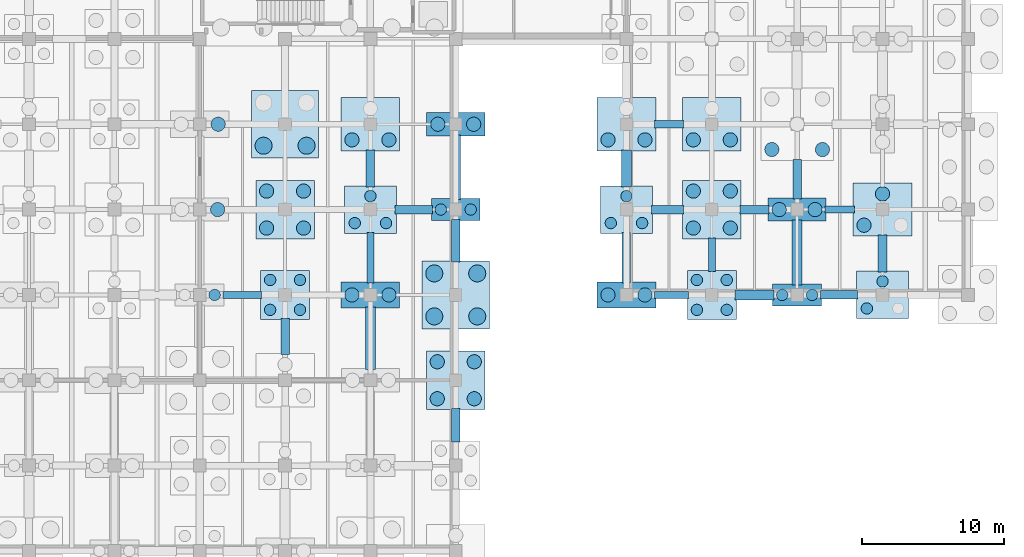
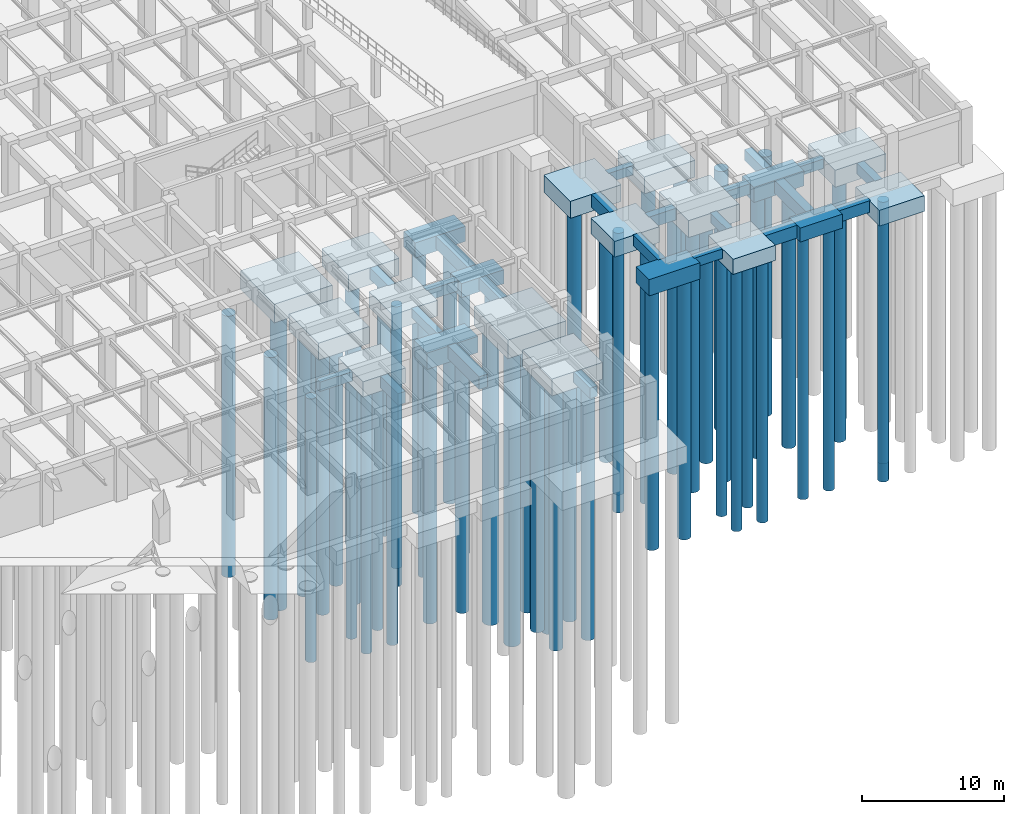
# One storey, part 17 of 54: 59 piles, 42 footings.
"""IFC4 building model written with IfcOpenShell, lengths in metres."""

from ifc_helpers import new_model, si_unit, direction, frame, origin, origin_2d, place, context, subcontext, project, spatial, rectangle, circle, extrude, material, material_profile, profile_set, type_object, element, save


model = new_model("IFC4")

# Units and contexts
model_context = context("Model", 3, precision=1e-05, world=origin(), true_north=direction((0.0, 1.0)))
body_context = subcontext(model_context, "Body", "Model", "MODEL_VIEW")
ifc_project = project(units=[si_unit("LENGTHUNIT", "METRE"), si_unit("AREAUNIT", "SQUARE_METRE"), si_unit("VOLUMEUNIT", "CUBIC_METRE"), si_unit("PLANEANGLEUNIT", "RADIAN"), si_unit("MASSUNIT", "GRAM", prefix="KILO"), si_unit("THERMODYNAMICTEMPERATUREUNIT", "KELVIN"), si_unit("POWERUNIT", "WATT")], contexts=[model_context])

# Site, building, storey
site_placement = place(None, origin())
site = spatial("IfcSite", under=ifc_project, at=site_placement, CompositionType="ELEMENT")
building_placement = place(site_placement, origin())
building = spatial("IfcBuilding", under=site, at=building_placement, Name="Phaisarnlok Congress Hotel", CompositionType="ELEMENT")
storey_placement = place(building_placement, frame((0.0, 0.0, -4.800048828125)))
storey = spatial("IfcBuildingStorey", under=building, at=storey_placement, Name="B01", CompositionType="ELEMENT", Elevation=-4.800048828125)

# Footings
ifc_material_1 = material(Name="Concrete C40/50", Category="concrete")
footing_type_1 = type_object("IfcFootingType", Name="CAP-2P-A", PredefinedType="PILE_CAP", material=ifc_material_1)
for number, where, z_axis, x_axis, name in (
    (1, (144.0, 24.0, -1.69970703125), (0.0, 0.0, 1.0), (1.0, 0.0, 0.0), "Pile cap PC-01 at (144,24)"),
    (2, (168.0, 18.0, -1.69970703125), (0.0, 0.0, 1.0), (1.0, 0.0, 0.0), "Pile cap PC-01 at (168,18)"),
):
    element("IfcFooting", number, at=place(storey_placement, frame(where, z_axis=z_axis, x_axis=x_axis)), inside=storey, type_object=footing_type_1, Name=name, PredefinedType="PILE_CAP", context=body_context, shape_type="SweptSolid", body=[
        extrude(rectangle(XDim=3.43994140625, YDim=1.5400390625, at=origin_2d()), origin(), (0.0, 0.0, 1.0), 1.199951171875),
    ])
footing_type_2 = type_object("IfcFootingType", Name="CAP-2P-B", PredefinedType="PILE_CAP", material=ifc_material_1)
for number, where, z_axis, x_axis, name in (
    (3, (144.0, 30.0, -1.7998046875), (0.0, 0.0, 1.0), (1.0, 0.0, 0.0), "Pile cap PC-02 at (144,30)"),
    (4, (168.0, 24.0, -1.7998046875), (0.0, 0.0, 1.0), (1.0, 0.0, 0.0), "Pile cap PC-02 at (168,24)"),
):
    element("IfcFooting", number, at=place(storey_placement, frame(where, z_axis=z_axis, x_axis=x_axis)), inside=storey, type_object=footing_type_2, Name=name, PredefinedType="PILE_CAP", context=body_context, shape_type="SweptSolid", body=[
        extrude(rectangle(XDim=4.080078125, YDim=1.639892578125, at=origin_2d()), origin(), (0.0, 0.0, 1.0), 1.300048828125),
    ])
footing_type_3 = type_object("IfcFootingType", Name="CAP-2P-C", PredefinedType="PILE_CAP", material=ifc_material_1)
for number, where, z_axis, x_axis, name in (
    (5, (138.0, 18.0, -1.89990234375), (0.0, 0.0, 1.0), (1.0, 0.0, 0.0), "Pile cap PC-03 at (138,18)"),
    (6, (156.0, 18.0, -1.89990234375), (0.0, 0.0, 1.0), (1.0, 0.0, 0.0), "Pile cap PC-03 at (156,18)"),
):
    element("IfcFooting", number, at=place(storey_placement, frame(where, z_axis=z_axis, x_axis=x_axis)), inside=storey, type_object=footing_type_3, Name=name, PredefinedType="PILE_CAP", context=body_context, shape_type="SweptSolid", body=[
        extrude(rectangle(XDim=4.1201171875, YDim=1.840087890625, at=origin_2d()), origin(), (0.0, 0.0, 1.0), 1.39990234375),
    ])
footing_type_4 = type_object("IfcFootingType", Name="CAP-3P-A", PredefinedType="PILE_CAP", material=ifc_material_1)
for number, where, z_axis, x_axis, name in (
    (7, (138.0, 24.0, -1.85009765625), (0.0, 0.0, 1.0), (1.0, 0.0, 0.0), "Pile cap PC-04 at (138,24)"),
    (8, (156.0, 24.0, -1.85009765625), (0.0, 0.0, 1.0), (1.0, 0.0, 0.0), "Pile cap PC-04 at (156,24)"),
    (9, (174.0, 18.0, -1.85009765625), (0.0, 0.0, 1.0), (1.0, 0.0, 0.0), "Pile cap PC-04 at (174,18)"),
):
    element("IfcFooting", number, at=place(storey_placement, frame(where, z_axis=z_axis, x_axis=x_axis)), inside=storey, type_object=footing_type_4, Name=name, PredefinedType="PILE_CAP", context=body_context, shape_type="SweptSolid", body=[
        extrude(rectangle(XDim=3.639892578125, YDim=3.340087890625, at=origin_2d()), origin(), (0.0, 0.0, 1.0), 1.35009765625),
    ])
footing_type_5 = type_object("IfcFootingType", Name="CAP-3P-B", PredefinedType="PILE_CAP", material=ifc_material_1)
for number, where, z_axis, x_axis, name in (
    (10, (138.0, 30.0, -1.94970703125), (0.0, 0.0, 1.0), (1.0, 0.0, 0.0), "Pile cap PC-05 at (138,30)"),
    (11, (156.0, 30.0, -1.94970703125), (0.0, 0.0, 1.0), (1.0, 0.0, 0.0), "Pile cap PC-05 at (156,30)"),
    (12, (162.0, 30.0, -1.94970703125), (0.0, 0.0, 1.0), (1.0, 0.0, 0.0), "Pile cap PC-05 at (162,30)"),
    (13, (174.0, 24.0, -1.94970703125), (0.0, 0.0, 1.0), (1.0, 0.0, 0.0), "Pile cap PC-05 at (174,24)"),
):
    element("IfcFooting", number, at=place(storey_placement, frame(where, z_axis=z_axis, x_axis=x_axis)), inside=storey, type_object=footing_type_5, Name=name, PredefinedType="PILE_CAP", context=body_context, shape_type="SweptSolid", body=[
        extrude(rectangle(XDim=4.1201171875, YDim=3.739990234375, at=origin_2d()), origin(), (0.0, 0.0, 1.0), 1.449951171875),
    ])
footing_type_6 = type_object("IfcFootingType", Name="CAP-4P-A", PredefinedType="PILE_CAP", material=ifc_material_1)
for number, where, z_axis, x_axis, name in (
    (14, (132.0, 18.0, -1.7998046875), (0.0, 0.0, 1.0), (1.0, 0.0, 0.0), "Pile cap PC-06 at (132,18)"),
    (15, (162.0, 18.0, -1.7998046875), (0.0, 0.0, 1.0), (1.0, 0.0, 0.0), "Pile cap PC-06 at (162,18)"),
):
    element("IfcFooting", number, at=place(storey_placement, frame(where, z_axis=z_axis, x_axis=x_axis)), inside=storey, type_object=footing_type_6, Name=name, PredefinedType="PILE_CAP", context=body_context, shape_type="SweptSolid", body=[
        extrude(rectangle(XDim=3.43994140625, YDim=3.43994140625, at=origin_2d()), origin(), (0.0, 0.0, 1.0), 1.300048828125),
    ])
footing_type_7 = type_object("IfcFootingType", Name="CAP-4P-B", PredefinedType="PILE_CAP", material=ifc_material_1)
for number, where, z_axis, x_axis, name in (
    (16, (132.0, 24.0, -1.94970703125), (0.0, 0.0, 1.0), (1.0, 0.0, 0.0), "Pile cap PC-07 at (132,24)"),
    (17, (144.0, 12.0, -1.94970703125), (0.0, 0.0, 1.0), (1.0, 0.0, 0.0), "Pile cap PC-07 at (144,12)"),
    (18, (162.0, 24.0, -1.94970703125), (0.0, 0.0, 1.0), (1.0, 0.0, 0.0), "Pile cap PC-07 at (162,24)"),
):
    element("IfcFooting", number, at=place(storey_placement, frame(where, z_axis=z_axis, x_axis=x_axis)), inside=storey, type_object=footing_type_7, Name=name, PredefinedType="PILE_CAP", context=body_context, shape_type="SweptSolid", body=[
        extrude(rectangle(XDim=4.1201171875, YDim=4.1201171875, at=origin_2d()), origin(), (0.0, 0.0, 1.0), 1.449951171875),
    ])
footing_type_8 = type_object("IfcFootingType", Name="CAP-4P-C", PredefinedType="PILE_CAP", material=ifc_material_1)
for number, where, z_axis, x_axis, name in (
    (19, (132.0, 30.0, -2.10009765625), (0.0, 0.0, 1.0), (1.0, 0.0, 0.0), "Pile cap PC-08 at (132,30)"),
    (20, (144.0, 18.0, -2.10009765625), (0.0, 0.0, 1.0), (1.0, 0.0, 0.0), "Pile cap PC-08 at (144,18)"),
):
    element("IfcFooting", number, at=place(storey_placement, frame(where, z_axis=z_axis, x_axis=x_axis)), inside=storey, type_object=footing_type_8, Name=name, PredefinedType="PILE_CAP", context=body_context, shape_type="SweptSolid", body=[
        extrude(rectangle(XDim=4.719970703125, YDim=4.760009765625, at=origin_2d()), origin(), (0.0, 0.0, 1.0), 1.60009765625),
    ])
ifc_material_profile_1 = material_profile(ifc_material_1, rectangle(XDim=0.5, YDim=0.800048828125, at=origin_2d()), Name="FB-500x800")
ifc_profile_set_1 = profile_set([ifc_material_profile_1], Name="Concrete C40/50")
footing_type_9 = type_object("IfcFootingType", Name="FB-500x800", PredefinedType="FOOTING_BEAM", material=ifc_profile_set_1)
footing_1_placement = place(storey_placement, frame((127.64501953125, 18.0, -0.89990234375), z_axis=(1.0, 0.0, 0.0), x_axis=(0.0, 1.0, 0.0)))
element("IfcFooting", 21, at=footing_1_placement, inside=storey, type_object=footing_type_9, Name="Ground tie beam FB-01", PredefinedType="FOOTING_BEAM", context=body_context, shape_type="SweptSolid", body=[
    extrude(rectangle(XDim=0.5, YDim=0.800048828125, at=origin_2d()), origin(), (0.0, 0.0, 1.0), 2.7099609375),
])
footing_2_placement = place(storey_placement, frame((138.0, 18.844970703125, -0.89990234375), z_axis=(0.0, 1.0, 0.0), x_axis=(-1.0, 0.0, 0.0)))
element("IfcFooting", 22, at=footing_2_placement, inside=storey, type_object=footing_type_9, Name="Ground tie beam FB-01", PredefinedType="FOOTING_BEAM", context=body_context, shape_type="SweptSolid", body=[
    extrude(rectangle(XDim=0.5, YDim=0.800048828125, at=origin_2d()), origin(), (0.0, 0.0, 1.0), 3.56005859375),
])
footing_3_placement = place(storey_placement, frame((157.985107421875, 18.0, -0.89990234375), z_axis=(1.0, 0.0, 0.0), x_axis=(0.0, 1.0, 0.0)))
element("IfcFooting", 23, at=footing_3_placement, inside=storey, type_object=footing_type_9, Name="Ground tie beam FB-01", PredefinedType="FOOTING_BEAM", context=body_context, shape_type="SweptSolid", body=[
    extrude(rectangle(XDim=0.5, YDim=0.800048828125, at=origin_2d()), origin(), (0.0, 0.0, 1.0), 2.369873046875),
])
footing_4_placement = place(storey_placement, frame((157.985107421875, 30.0, -0.89990234375), z_axis=(1.0, 0.0, 0.0), x_axis=(0.0, 1.0, 0.0)))
element("IfcFooting", 24, at=footing_4_placement, inside=storey, type_object=footing_type_9, Name="Ground tie beam FB-01", PredefinedType="FOOTING_BEAM", context=body_context, shape_type="SweptSolid", body=[
    extrude(rectangle(XDim=0.5, YDim=0.800048828125, at=origin_2d()), origin(), (0.0, 0.0, 1.0), 2.02978515625),
])
footing_5_placement = place(storey_placement, frame((162.0, 19.64501953125, -0.89990234375), z_axis=(0.0, 1.0, 0.0), x_axis=(-1.0, 0.0, 0.0)))
element("IfcFooting", 25, at=footing_5_placement, inside=storey, type_object=footing_type_9, Name="Ground tie beam FB-01", PredefinedType="FOOTING_BEAM", context=body_context, shape_type="SweptSolid", body=[
    extrude(rectangle(XDim=0.5, YDim=0.800048828125, at=origin_2d()), origin(), (0.0, 0.0, 1.0), 2.369873046875),
])
footing_6_placement = place(storey_placement, frame((169.965087890625, 24.0, -0.89990234375), z_axis=(1.0, 0.0, 0.0), x_axis=(0.0, 1.0, 0.0)))
element("IfcFooting", 26, at=footing_6_placement, inside=storey, type_object=footing_type_9, Name="Ground tie beam FB-01", PredefinedType="FOOTING_BEAM", context=body_context, shape_type="SweptSolid", body=[
    extrude(rectangle(XDim=0.5, YDim=0.800048828125, at=origin_2d()), origin(), (0.0, 0.0, 1.0), 2.0498046875),
])
ifc_material_profile_2 = material_profile(ifc_material_1, rectangle(XDim=0.60009765625, YDim=1.0, at=origin_2d()), Name="FB-600x1000")
ifc_profile_set_2 = profile_set([ifc_material_profile_2], Name="Concrete C40/50")
footing_type_10 = type_object("IfcFootingType", Name="FB-600x1000", PredefinedType="FOOTING_BEAM", material=ifc_profile_set_2)
footing_7_placement = place(storey_placement, frame((132.0, 13.794921875, -1.0), z_axis=(0.0, 1.0, 0.0), x_axis=(-1.0, 0.0, 0.0)))
element("IfcFooting", 27, at=footing_7_placement, inside=storey, type_object=footing_type_10, Name="Ground tie beam FB-03", PredefinedType="FOOTING_BEAM", context=body_context, shape_type="SweptSolid", body=[
    extrude(rectangle(XDim=0.60009765625, YDim=1.0, at=origin_2d()), origin(), (0.0, 0.0, 1.0), 2.56005859375),
])
footing_8_placement = place(storey_placement, frame((138.0, 25.594970703125, -1.0), z_axis=(0.0, 1.0, 0.0), x_axis=(-1.0, 0.0, 0.0)))
element("IfcFooting", 28, at=footing_8_placement, inside=storey, type_object=footing_type_10, Name="Ground tie beam FB-03", PredefinedType="FOOTING_BEAM", context=body_context, shape_type="SweptSolid", body=[
    extrude(rectangle(XDim=0.60009765625, YDim=1.0, at=origin_2d()), origin(), (0.0, 0.0, 1.0), 2.610107421875),
])
footing_9_placement = place(storey_placement, frame((144.0, 20.304931640625, -1.0), z_axis=(0.0, 1.0, 0.0), x_axis=(-1.0, 0.0, 0.0)))
element("IfcFooting", 29, at=footing_9_placement, inside=storey, type_object=footing_type_10, Name="Ground tie beam FB-03", PredefinedType="FOOTING_BEAM", context=body_context, shape_type="SweptSolid", body=[
    extrude(rectangle(XDim=0.60009765625, YDim=1.0, at=origin_2d()), origin(), (0.0, 0.0, 1.0), 3.0),
])
footing_10_placement = place(storey_placement, frame((157.7451171875, 24.0, -1.0), z_axis=(1.0, 0.0, 0.0), x_axis=(0.0, 1.0, 0.0)))
element("IfcFooting", 30, at=footing_10_placement, inside=storey, type_object=footing_type_10, Name="Ground tie beam FB-03", PredefinedType="FOOTING_BEAM", context=body_context, shape_type="SweptSolid", body=[
    extrude(rectangle(XDim=0.60009765625, YDim=1.0, at=origin_2d()), origin(), (0.0, 0.0, 1.0), 2.269775390625),
])
footing_11_placement = place(storey_placement, frame((169.64501953125, 18.0, -1.0), z_axis=(1.0, 0.0, 0.0), x_axis=(0.0, 1.0, 0.0)))
element("IfcFooting", 31, at=footing_11_placement, inside=storey, type_object=footing_type_10, Name="Ground tie beam FB-03", PredefinedType="FOOTING_BEAM", context=body_context, shape_type="SweptSolid", body=[
    extrude(rectangle(XDim=0.60009765625, YDim=1.0, at=origin_2d()), origin(), (0.0, 0.0, 1.0), 2.60986328125),
])
ifc_material_profile_3 = material_profile(ifc_material_1, rectangle(XDim=0.60009765625, YDim=0.89990234375, at=origin_2d()), Name="FB-600x900")
ifc_profile_set_3 = profile_set([ifc_material_profile_3], Name="Concrete C40/50")
footing_type_11 = type_object("IfcFootingType", Name="FB-600x900", PredefinedType="FOOTING_BEAM", material=ifc_profile_set_3)
footing_12_placement = place(storey_placement, frame((139.7451171875, 24.0, -0.949951171875), z_axis=(1.0, 0.0, 0.0), x_axis=(0.0, 1.0, 0.0)))
element("IfcFooting", 32, at=footing_12_placement, inside=storey, type_object=footing_type_11, Name="Ground tie beam FB-02", PredefinedType="FOOTING_BEAM", context=body_context, shape_type="SweptSolid", body=[
    extrude(rectangle(XDim=0.60009765625, YDim=0.89990234375, at=origin_2d()), origin(), (0.0, 0.0, 1.0), 2.60986328125),
])
footing_13_placement = place(storey_placement, frame((144.0, 7.64501953125, -0.949951171875), z_axis=(0.0, 1.0, 0.0), x_axis=(-1.0, 0.0, 0.0)))
element("IfcFooting", 33, at=footing_13_placement, inside=storey, type_object=footing_type_11, Name="Ground tie beam FB-02", PredefinedType="FOOTING_BEAM", context=body_context, shape_type="SweptSolid", body=[
    extrude(rectangle(XDim=0.60009765625, YDim=0.89990234375, at=origin_2d()), origin(), (0.0, 0.0, 1.0), 2.369873046875),
])
footing_14_placement = place(storey_placement, frame((156.0, 18.844970703125, -0.949951171875), z_axis=(0.0, 1.0, 0.0), x_axis=(-1.0, 0.0, 0.0)))
element("IfcFooting", 34, at=footing_14_placement, inside=storey, type_object=footing_type_11, Name="Ground tie beam FB-02", PredefinedType="FOOTING_BEAM", context=body_context, shape_type="SweptSolid", body=[
    extrude(rectangle(XDim=0.60009765625, YDim=0.89990234375, at=origin_2d()), origin(), (0.0, 0.0, 1.0), 3.56005859375),
])
footing_15_placement = place(storey_placement, frame((163.985107421875, 24.0, -0.949951171875), z_axis=(1.0, 0.0, 0.0), x_axis=(0.0, 1.0, 0.0)))
element("IfcFooting", 35, at=footing_15_placement, inside=storey, type_object=footing_type_11, Name="Ground tie beam FB-02", PredefinedType="FOOTING_BEAM", context=body_context, shape_type="SweptSolid", body=[
    extrude(rectangle(XDim=0.60009765625, YDim=0.89990234375, at=origin_2d()), origin(), (0.0, 0.0, 1.0), 2.0498046875),
])
footing_16_placement = place(storey_placement, frame((168.0, 24.7451171875, -0.949951171875), z_axis=(0.0, 1.0, 0.0), x_axis=(-1.0, 0.0, 0.0)))
element("IfcFooting", 36, at=footing_16_placement, inside=storey, type_object=footing_type_11, Name="Ground tie beam FB-02", PredefinedType="FOOTING_BEAM", context=body_context, shape_type="SweptSolid", body=[
    extrude(rectangle(XDim=0.60009765625, YDim=0.89990234375, at=origin_2d()), origin(), (0.0, 0.0, 1.0), 2.789794921875),
])
footing_17_placement = place(storey_placement, frame((174.0, 19.594970703125, -0.949951171875), z_axis=(0.0, 1.0, 0.0), x_axis=(-1.0, 0.0, 0.0)))
element("IfcFooting", 37, at=footing_17_placement, inside=storey, type_object=footing_type_11, Name="Ground tie beam FB-02", PredefinedType="FOOTING_BEAM", context=body_context, shape_type="SweptSolid", body=[
    extrude(rectangle(XDim=0.60009765625, YDim=0.89990234375, at=origin_2d()), origin(), (0.0, 0.0, 1.0), 2.610107421875),
])
ifc_material_profile_4 = material_profile(ifc_material_1, rectangle(XDim=0.699951171875, YDim=1.10009765625, at=origin_2d()), Name="FB-700x1100")
ifc_profile_set_4 = profile_set([ifc_material_profile_4], Name="Concrete C40/50")
footing_type_12 = type_object("IfcFootingType", Name="FB-700x1100", PredefinedType="FOOTING_BEAM", material=ifc_profile_set_4)
footing_18_placement = place(storey_placement, frame((138.0, 12.7451171875, -1.050048828125), z_axis=(0.0, 1.0, 0.0), x_axis=(-1.0, 0.0, 0.0)))
element("IfcFooting", 38, at=footing_18_placement, inside=storey, type_object=footing_type_12, Name="Ground tie beam FB-04", PredefinedType="FOOTING_BEAM", context=body_context, shape_type="SweptSolid", body=[
    extrude(rectangle(XDim=0.699951171875, YDim=1.10009765625, at=origin_2d()), origin(), (0.0, 0.0, 1.0), 4.409912109375),
])
footing_19_placement = place(storey_placement, frame((144.0, 24.695068359375, -1.050048828125), z_axis=(0.0, 1.0, 0.0), x_axis=(-1.0, 0.0, 0.0)))
element("IfcFooting", 39, at=footing_19_placement, inside=storey, type_object=footing_type_12, Name="Ground tie beam FB-04", PredefinedType="FOOTING_BEAM", context=body_context, shape_type="SweptSolid", body=[
    extrude(rectangle(XDim=0.699951171875, YDim=1.10009765625, at=origin_2d()), origin(), (0.0, 0.0, 1.0), 4.559814453125),
])
footing_20_placement = place(storey_placement, frame((156.0, 25.594970703125, -1.050048828125), z_axis=(0.0, 1.0, 0.0), x_axis=(-1.0, 0.0, 0.0)))
element("IfcFooting", 40, at=footing_20_placement, inside=storey, type_object=footing_type_12, Name="Ground tie beam FB-04", PredefinedType="FOOTING_BEAM", context=body_context, shape_type="SweptSolid", body=[
    extrude(rectangle(XDim=0.699951171875, YDim=1.10009765625, at=origin_2d()), origin(), (0.0, 0.0, 1.0), 2.610107421875),
])
footing_21_placement = place(storey_placement, frame((163.64501953125, 18.0, -1.050048828125), z_axis=(1.0, 0.0, 0.0), x_axis=(0.0, 1.0, 0.0)))
element("IfcFooting", 41, at=footing_21_placement, inside=storey, type_object=footing_type_12, Name="Ground tie beam FB-04", PredefinedType="FOOTING_BEAM", context=body_context, shape_type="SweptSolid", body=[
    extrude(rectangle(XDim=0.699951171875, YDim=1.10009765625, at=origin_2d()), origin(), (0.0, 0.0, 1.0), 2.7099609375),
])
footing_22_placement = place(storey_placement, frame((168.0, 18.695068359375, -1.050048828125), z_axis=(0.0, 1.0, 0.0), x_axis=(-1.0, 0.0, 0.0)))
element("IfcFooting", 42, at=footing_22_placement, inside=storey, type_object=footing_type_12, Name="Ground tie beam FB-04", PredefinedType="FOOTING_BEAM", context=body_context, shape_type="SweptSolid", body=[
    extrude(rectangle(XDim=0.699951171875, YDim=1.10009765625, at=origin_2d()), origin(), (0.0, 0.0, 1.0), 4.559814453125),
])

# Piles
ifc_material_2 = material(Name="Concrete C35/45", Category="concrete")
ifc_material_profile_5 = material_profile(ifc_material_2, circle(Radius=0.5, at=origin_2d()), Name="BORED PILE D1000")
ifc_profile_set_5 = profile_set([ifc_material_profile_5], Name="Concrete C35/45")
pile_type_1 = type_object("IfcPileType", Name="PILE-D1000", PredefinedType="BORED", material=ifc_profile_set_5)
pile_1_placement = place(storey_placement, frame((127.260009765625, 24.0, -1.699951171875), z_axis=(0.0, 0.0, -1.0), x_axis=(1.0, 0.0, 0.0)))
element("IfcPile", 43, at=pile_1_placement, inside=storey, type_object=pile_type_1, Name="Bored pile PL-02 (FTG-B01-126-024-2)", PredefinedType="BORED", context=body_context, shape_type="SweptSolid", body=[
    extrude(circle(Radius=0.5, at=origin_2d()), origin(), (0.0, 0.0, 1.0), 22.5),
])
pile_2_placement = place(storey_placement, frame((127.300048828125, 30.0, -1.800048828125), z_axis=(0.0, 0.0, -1.0), x_axis=(1.0, 0.0, 0.0)))
element("IfcPile", 44, at=pile_2_placement, inside=storey, type_object=pile_type_1, Name="Bored pile PL-02 (FTG-B01-126-030-2)", PredefinedType="BORED", context=body_context, shape_type="SweptSolid", body=[
    extrude(circle(Radius=0.5, at=origin_2d()), origin(), (0.0, 0.0, 1.0), 22.39990234375),
])
for number, where, z_axis, x_axis, name in (
    (45, (130.699951171875, 22.699951171875, -1.849853515625), (0.0, 0.0, -1.0), (1.0, 0.0, 0.0), "Bored pile PL-02 (FTG-B01-132-024-1)"),
    (46, (133.300048828125, 22.699951171875, -1.849853515625), (0.0, 0.0, -1.0), (1.0, 0.0, 0.0), "Bored pile PL-02 (FTG-B01-132-024-2)"),
    (47, (130.699951171875, 25.300048828125, -1.849853515625), (0.0, 0.0, -1.0), (1.0, 0.0, 0.0), "Bored pile PL-02 (FTG-B01-132-024-3)"),
    (48, (133.300048828125, 25.300048828125, -1.849853515625), (0.0, 0.0, -1.0), (1.0, 0.0, 0.0), "Bored pile PL-02 (FTG-B01-132-024-4)"),
):
    element("IfcPile", number, at=place(storey_placement, frame(where, z_axis=z_axis, x_axis=x_axis)), inside=storey, type_object=pile_type_1, Name=name, PredefinedType="BORED", context=body_context, shape_type="SweptSolid", body=[
        extrude(circle(Radius=0.5, at=origin_2d()), origin(), (0.0, 0.0, 1.0), 22.35009765625),
    ])
for number, where, z_axis, x_axis, name in (
    (49, (136.699951171875, 18.0, -1.800048828125), (0.0, 0.0, -1.0), (1.0, 0.0, 0.0), "Bored pile PL-02 (FTG-B01-138-018-1)"),
    (50, (139.300048828125, 18.0, -1.800048828125), (0.0, 0.0, -1.0), (1.0, 0.0, 0.0), "Bored pile PL-02 (FTG-B01-138-018-2)"),
):
    element("IfcPile", number, at=place(storey_placement, frame(where, z_axis=z_axis, x_axis=x_axis)), inside=storey, type_object=pile_type_1, Name=name, PredefinedType="BORED", context=body_context, shape_type="SweptSolid", body=[
        extrude(circle(Radius=0.5, at=origin_2d()), origin(), (0.0, 0.0, 1.0), 22.39990234375),
    ])
for number, where, z_axis, x_axis, name in (
    (51, (136.699951171875, 28.89990234375, -1.849853515625), (0.0, 0.0, -1.0), (1.0, 0.0, 0.0), "Bored pile PL-02 (FTG-B01-138-030-1)"),
    (52, (139.300048828125, 28.89990234375, -1.849853515625), (0.0, 0.0, -1.0), (1.0, 0.0, 0.0), "Bored pile PL-02 (FTG-B01-138-030-2)"),
    (53, (142.699951171875, 10.699951171875, -1.849853515625), (0.0, 0.0, -1.0), (1.0, 0.0, 0.0), "Bored pile PL-02 (FTG-B01-144-012-1)"),
    (54, (145.300048828125, 10.699951171875, -1.849853515625), (0.0, 0.0, -1.0), (1.0, 0.0, 0.0), "Bored pile PL-02 (FTG-B01-144-012-2)"),
    (55, (142.699951171875, 13.300048828125, -1.849853515625), (0.0, 0.0, -1.0), (1.0, 0.0, 0.0), "Bored pile PL-02 (FTG-B01-144-012-3)"),
    (56, (145.300048828125, 13.300048828125, -1.849853515625), (0.0, 0.0, -1.0), (1.0, 0.0, 0.0), "Bored pile PL-02 (FTG-B01-144-012-4)"),
):
    element("IfcPile", number, at=place(storey_placement, frame(where, z_axis=z_axis, x_axis=x_axis)), inside=storey, type_object=pile_type_1, Name=name, PredefinedType="BORED", context=body_context, shape_type="SweptSolid", body=[
        extrude(circle(Radius=0.5, at=origin_2d()), origin(), (0.0, 0.0, 1.0), 22.35009765625),
    ])
for number, where, z_axis, x_axis, name in (
    (57, (142.739990234375, 30.0, -1.699951171875), (0.0, 0.0, -1.0), (1.0, 0.0, 0.0), "Bored pile PL-02 (FTG-B01-144-030-1)"),
    (58, (145.260009765625, 30.0, -1.699951171875), (0.0, 0.0, -1.0), (1.0, 0.0, 0.0), "Bored pile PL-02 (FTG-B01-144-030-2)"),
):
    element("IfcPile", number, at=place(storey_placement, frame(where, z_axis=z_axis, x_axis=x_axis)), inside=storey, type_object=pile_type_1, Name=name, PredefinedType="BORED", context=body_context, shape_type="SweptSolid", body=[
        extrude(circle(Radius=0.5, at=origin_2d()), origin(), (0.0, 0.0, 1.0), 22.5),
    ])
for number, where, z_axis, x_axis, name in (
    (59, (154.699951171875, 18.0, -1.800048828125), (0.0, 0.0, -1.0), (1.0, 0.0, 0.0), "Bored pile PL-02 (FTG-B01-156-018-1)"),
    (60, (157.300048828125, 18.0, -1.800048828125), (0.0, 0.0, -1.0), (1.0, 0.0, 0.0), "Bored pile PL-02 (FTG-B01-156-018-2)"),
):
    element("IfcPile", number, at=place(storey_placement, frame(where, z_axis=z_axis, x_axis=x_axis)), inside=storey, type_object=pile_type_1, Name=name, PredefinedType="BORED", context=body_context, shape_type="SweptSolid", body=[
        extrude(circle(Radius=0.5, at=origin_2d()), origin(), (0.0, 0.0, 1.0), 22.39990234375),
    ])
for number, where, z_axis, x_axis, name in (
    (61, (154.699951171875, 28.89990234375, -1.849853515625), (0.0, 0.0, -1.0), (1.0, 0.0, 0.0), "Bored pile PL-02 (FTG-B01-156-030-1)"),
    (62, (157.300048828125, 28.89990234375, -1.849853515625), (0.0, 0.0, -1.0), (1.0, 0.0, 0.0), "Bored pile PL-02 (FTG-B01-156-030-2)"),
    (63, (160.699951171875, 22.699951171875, -1.849853515625), (0.0, 0.0, -1.0), (1.0, 0.0, 0.0), "Bored pile PL-02 (FTG-B01-162-024-1)"),
    (64, (163.300048828125, 22.699951171875, -1.849853515625), (0.0, 0.0, -1.0), (1.0, 0.0, 0.0), "Bored pile PL-02 (FTG-B01-162-024-2)"),
    (65, (160.699951171875, 25.300048828125, -1.849853515625), (0.0, 0.0, -1.0), (1.0, 0.0, 0.0), "Bored pile PL-02 (FTG-B01-162-024-3)"),
    (66, (163.300048828125, 25.300048828125, -1.849853515625), (0.0, 0.0, -1.0), (1.0, 0.0, 0.0), "Bored pile PL-02 (FTG-B01-162-024-4)"),
    (67, (160.699951171875, 28.89990234375, -1.849853515625), (0.0, 0.0, -1.0), (1.0, 0.0, 0.0), "Bored pile PL-02 (FTG-B01-162-030-1)"),
    (68, (163.300048828125, 28.89990234375, -1.849853515625), (0.0, 0.0, -1.0), (1.0, 0.0, 0.0), "Bored pile PL-02 (FTG-B01-162-030-2)"),
):
    element("IfcPile", number, at=place(storey_placement, frame(where, z_axis=z_axis, x_axis=x_axis)), inside=storey, type_object=pile_type_1, Name=name, PredefinedType="BORED", context=body_context, shape_type="SweptSolid", body=[
        extrude(circle(Radius=0.5, at=origin_2d()), origin(), (0.0, 0.0, 1.0), 22.35009765625),
    ])
for number, where, z_axis, x_axis, name in (
    (69, (166.739990234375, 24.0, -1.699951171875), (0.0, 0.0, -1.0), (1.0, 0.0, 0.0), "Bored pile PL-02 (FTG-B01-168-024-1)"),
    (70, (169.260009765625, 24.0, -1.699951171875), (0.0, 0.0, -1.0), (1.0, 0.0, 0.0), "Bored pile PL-02 (FTG-B01-168-024-2)"),
):
    element("IfcPile", number, at=place(storey_placement, frame(where, z_axis=z_axis, x_axis=x_axis)), inside=storey, type_object=pile_type_1, Name=name, PredefinedType="BORED", context=body_context, shape_type="SweptSolid", body=[
        extrude(circle(Radius=0.5, at=origin_2d()), origin(), (0.0, 0.0, 1.0), 22.5),
    ])
for number, where, z_axis, x_axis, name in (
    (71, (166.219970703125, 28.219970703125, -1.949951171875), (0.0, 0.0, -1.0), (1.0, 0.0, 0.0), "Bored pile PL-02 (FTG-B01-168-030-1)"),
    (72, (169.780029296875, 28.219970703125, -1.949951171875), (0.0, 0.0, -1.0), (1.0, 0.0, 0.0), "Bored pile PL-02 (FTG-B01-168-030-2)"),
):
    element("IfcPile", number, at=place(storey_placement, frame(where, z_axis=z_axis, x_axis=x_axis)), inside=storey, type_object=pile_type_1, Name=name, PredefinedType="BORED", context=body_context, shape_type="SweptSolid", body=[
        extrude(circle(Radius=0.5, at=origin_2d()), origin(), (0.0, 0.0, 1.0), 22.25),
    ])
for number, where, z_axis, x_axis, name in (
    (73, (172.699951171875, 22.89990234375, -1.849853515625), (0.0, 0.0, -1.0), (1.0, 0.0, 0.0), "Bored pile PL-02 (FTG-B01-174-024-1)"),
    (74, (174.0, 25.10009765625, -1.849853515625), (0.0, 0.0, -1.0), (1.0, 0.0, 0.0), "Bored pile PL-02 (FTG-B01-174-024-3)"),
):
    element("IfcPile", number, at=place(storey_placement, frame(where, z_axis=z_axis, x_axis=x_axis)), inside=storey, type_object=pile_type_1, Name=name, PredefinedType="BORED", context=body_context, shape_type="SweptSolid", body=[
        extrude(circle(Radius=0.5, at=origin_2d()), origin(), (0.0, 0.0, 1.0), 22.35009765625),
    ])
ifc_material_profile_6 = material_profile(ifc_material_2, circle(Radius=0.60009765625, at=origin_2d()), Name="BORED PILE D1200")
ifc_profile_set_6 = profile_set([ifc_material_profile_6], Name="Concrete C35/45")
pile_type_2 = type_object("IfcPileType", Name="PILE-D1200", PredefinedType="BORED", material=ifc_profile_set_6)
for number, where, z_axis, x_axis, name in (
    (75, (130.489990234375, 28.489990234375, -2.0), (0.0, 0.0, -1.0), (1.0, 0.0, 0.0), "Bored pile PL-03 (FTG-B01-132-030-1)"),
    (76, (133.510009765625, 28.489990234375, -2.0), (0.0, 0.0, -1.0), (1.0, 0.0, 0.0), "Bored pile PL-03 (FTG-B01-132-030-2)"),
    (77, (142.489990234375, 16.489990234375, -2.0), (0.0, 0.0, -1.0), (1.0, 0.0, 0.0), "Bored pile PL-03 (FTG-B01-144-018-1)"),
    (78, (145.510009765625, 16.489990234375, -2.0), (0.0, 0.0, -1.0), (1.0, 0.0, 0.0), "Bored pile PL-03 (FTG-B01-144-018-2)"),
    (79, (142.489990234375, 19.510009765625, -2.0), (0.0, 0.0, -1.0), (1.0, 0.0, 0.0), "Bored pile PL-03 (FTG-B01-144-018-3)"),
    (80, (145.510009765625, 19.510009765625, -2.0), (0.0, 0.0, -1.0), (1.0, 0.0, 0.0), "Bored pile PL-03 (FTG-B01-144-018-4)"),
):
    element("IfcPile", number, at=place(storey_placement, frame(where, z_axis=z_axis, x_axis=x_axis)), inside=storey, type_object=pile_type_2, Name=name, PredefinedType="BORED", context=body_context, shape_type="SweptSolid", body=[
        extrude(circle(Radius=0.60009765625, at=origin_2d()), origin(), (0.0, 0.0, 1.0), 25.199951171875),
    ])
ifc_material_profile_7 = material_profile(ifc_material_2, circle(Radius=0.39990234375, at=origin_2d()), Name="BORED PILE D800")
ifc_profile_set_7 = profile_set([ifc_material_profile_7], Name="Concrete C35/45")
pile_type_3 = type_object("IfcPileType", Name="PILE-D800", PredefinedType="BORED", material=ifc_profile_set_7)
pile_3_placement = place(storey_placement, frame((127.050048828125, 18.0, -1.599853515625), z_axis=(0.0, 0.0, -1.0), x_axis=(1.0, 0.0, 0.0)))
element("IfcPile", 81, at=pile_3_placement, inside=storey, type_object=pile_type_3, Name="Bored pile PL-01 (FTG-B01-126-018-2)", PredefinedType="BORED", context=body_context, shape_type="SweptSolid", body=[
    extrude(circle(Radius=0.39990234375, at=origin_2d()), origin(), (0.0, 0.0, 1.0), 22.60009765625),
])
for number, where, z_axis, x_axis, name in (
    (82, (130.949951171875, 16.949951171875, -1.699951171875), (0.0, 0.0, -1.0), (1.0, 0.0, 0.0), "Bored pile PL-01 (FTG-B01-132-018-1)"),
    (83, (133.050048828125, 16.949951171875, -1.699951171875), (0.0, 0.0, -1.0), (1.0, 0.0, 0.0), "Bored pile PL-01 (FTG-B01-132-018-2)"),
    (84, (130.949951171875, 19.050048828125, -1.699951171875), (0.0, 0.0, -1.0), (1.0, 0.0, 0.0), "Bored pile PL-01 (FTG-B01-132-018-3)"),
    (85, (133.050048828125, 19.050048828125, -1.699951171875), (0.0, 0.0, -1.0), (1.0, 0.0, 0.0), "Bored pile PL-01 (FTG-B01-132-018-4)"),
):
    element("IfcPile", number, at=place(storey_placement, frame(where, z_axis=z_axis, x_axis=x_axis)), inside=storey, type_object=pile_type_3, Name=name, PredefinedType="BORED", context=body_context, shape_type="SweptSolid", body=[
        extrude(circle(Radius=0.39990234375, at=origin_2d()), origin(), (0.0, 0.0, 1.0), 22.5),
    ])
for number, where, z_axis, x_axis, name in (
    (86, (136.89990234375, 23.050048828125, -1.75), (0.0, 0.0, -1.0), (1.0, 0.0, 0.0), "Bored pile PL-01 (FTG-B01-138-024-1)"),
    (87, (139.10009765625, 23.050048828125, -1.75), (0.0, 0.0, -1.0), (1.0, 0.0, 0.0), "Bored pile PL-01 (FTG-B01-138-024-2)"),
    (88, (138.0, 24.949951171875, -1.75), (0.0, 0.0, -1.0), (1.0, 0.0, 0.0), "Bored pile PL-01 (FTG-B01-138-024-3)"),
):
    element("IfcPile", number, at=place(storey_placement, frame(where, z_axis=z_axis, x_axis=x_axis)), inside=storey, type_object=pile_type_3, Name=name, PredefinedType="BORED", context=body_context, shape_type="SweptSolid", body=[
        extrude(circle(Radius=0.39990234375, at=origin_2d()), origin(), (0.0, 0.0, 1.0), 22.449951171875),
    ])
for number, where, z_axis, x_axis, name in (
    (89, (142.949951171875, 24.0, -1.599853515625), (0.0, 0.0, -1.0), (1.0, 0.0, 0.0), "Bored pile PL-01 (FTG-B01-144-024-1)"),
    (90, (145.050048828125, 24.0, -1.599853515625), (0.0, 0.0, -1.0), (1.0, 0.0, 0.0), "Bored pile PL-01 (FTG-B01-144-024-2)"),
):
    element("IfcPile", number, at=place(storey_placement, frame(where, z_axis=z_axis, x_axis=x_axis)), inside=storey, type_object=pile_type_3, Name=name, PredefinedType="BORED", context=body_context, shape_type="SweptSolid", body=[
        extrude(circle(Radius=0.39990234375, at=origin_2d()), origin(), (0.0, 0.0, 1.0), 22.60009765625),
    ])
for number, where, z_axis, x_axis, name in (
    (91, (154.89990234375, 23.050048828125, -1.75), (0.0, 0.0, -1.0), (1.0, 0.0, 0.0), "Bored pile PL-01 (FTG-B01-156-024-1)"),
    (92, (157.10009765625, 23.050048828125, -1.75), (0.0, 0.0, -1.0), (1.0, 0.0, 0.0), "Bored pile PL-01 (FTG-B01-156-024-2)"),
    (93, (156.0, 24.949951171875, -1.75), (0.0, 0.0, -1.0), (1.0, 0.0, 0.0), "Bored pile PL-01 (FTG-B01-156-024-3)"),
):
    element("IfcPile", number, at=place(storey_placement, frame(where, z_axis=z_axis, x_axis=x_axis)), inside=storey, type_object=pile_type_3, Name=name, PredefinedType="BORED", context=body_context, shape_type="SweptSolid", body=[
        extrude(circle(Radius=0.39990234375, at=origin_2d()), origin(), (0.0, 0.0, 1.0), 22.449951171875),
    ])
for number, where, z_axis, x_axis, name in (
    (94, (160.949951171875, 16.949951171875, -1.699951171875), (0.0, 0.0, -1.0), (1.0, 0.0, 0.0), "Bored pile PL-01 (FTG-B01-162-018-1)"),
    (95, (163.050048828125, 16.949951171875, -1.699951171875), (0.0, 0.0, -1.0), (1.0, 0.0, 0.0), "Bored pile PL-01 (FTG-B01-162-018-2)"),
    (96, (160.949951171875, 19.050048828125, -1.699951171875), (0.0, 0.0, -1.0), (1.0, 0.0, 0.0), "Bored pile PL-01 (FTG-B01-162-018-3)"),
    (97, (163.050048828125, 19.050048828125, -1.699951171875), (0.0, 0.0, -1.0), (1.0, 0.0, 0.0), "Bored pile PL-01 (FTG-B01-162-018-4)"),
):
    element("IfcPile", number, at=place(storey_placement, frame(where, z_axis=z_axis, x_axis=x_axis)), inside=storey, type_object=pile_type_3, Name=name, PredefinedType="BORED", context=body_context, shape_type="SweptSolid", body=[
        extrude(circle(Radius=0.39990234375, at=origin_2d()), origin(), (0.0, 0.0, 1.0), 22.5),
    ])
for number, where, z_axis, x_axis, name in (
    (98, (166.949951171875, 18.0, -1.599853515625), (0.0, 0.0, -1.0), (1.0, 0.0, 0.0), "Bored pile PL-01 (FTG-B01-168-018-1)"),
    (99, (169.050048828125, 18.0, -1.599853515625), (0.0, 0.0, -1.0), (1.0, 0.0, 0.0), "Bored pile PL-01 (FTG-B01-168-018-2)"),
):
    element("IfcPile", number, at=place(storey_placement, frame(where, z_axis=z_axis, x_axis=x_axis)), inside=storey, type_object=pile_type_3, Name=name, PredefinedType="BORED", context=body_context, shape_type="SweptSolid", body=[
        extrude(circle(Radius=0.39990234375, at=origin_2d()), origin(), (0.0, 0.0, 1.0), 22.60009765625),
    ])
for number, where, z_axis, x_axis, name in (
    (100, (172.89990234375, 17.050048828125, -1.75), (0.0, 0.0, -1.0), (1.0, 0.0, 0.0), "Bored pile PL-01 (FTG-B01-174-018-1)"),
    (101, (174.0, 18.949951171875, -1.75), (0.0, 0.0, -1.0), (1.0, 0.0, 0.0), "Bored pile PL-01 (FTG-B01-174-018-3)"),
):
    element("IfcPile", number, at=place(storey_placement, frame(where, z_axis=z_axis, x_axis=x_axis)), inside=storey, type_object=pile_type_3, Name=name, PredefinedType="BORED", context=body_context, shape_type="SweptSolid", body=[
        extrude(circle(Radius=0.39990234375, at=origin_2d()), origin(), (0.0, 0.0, 1.0), 22.449951171875),
    ])

save(model, "model.ifc")
